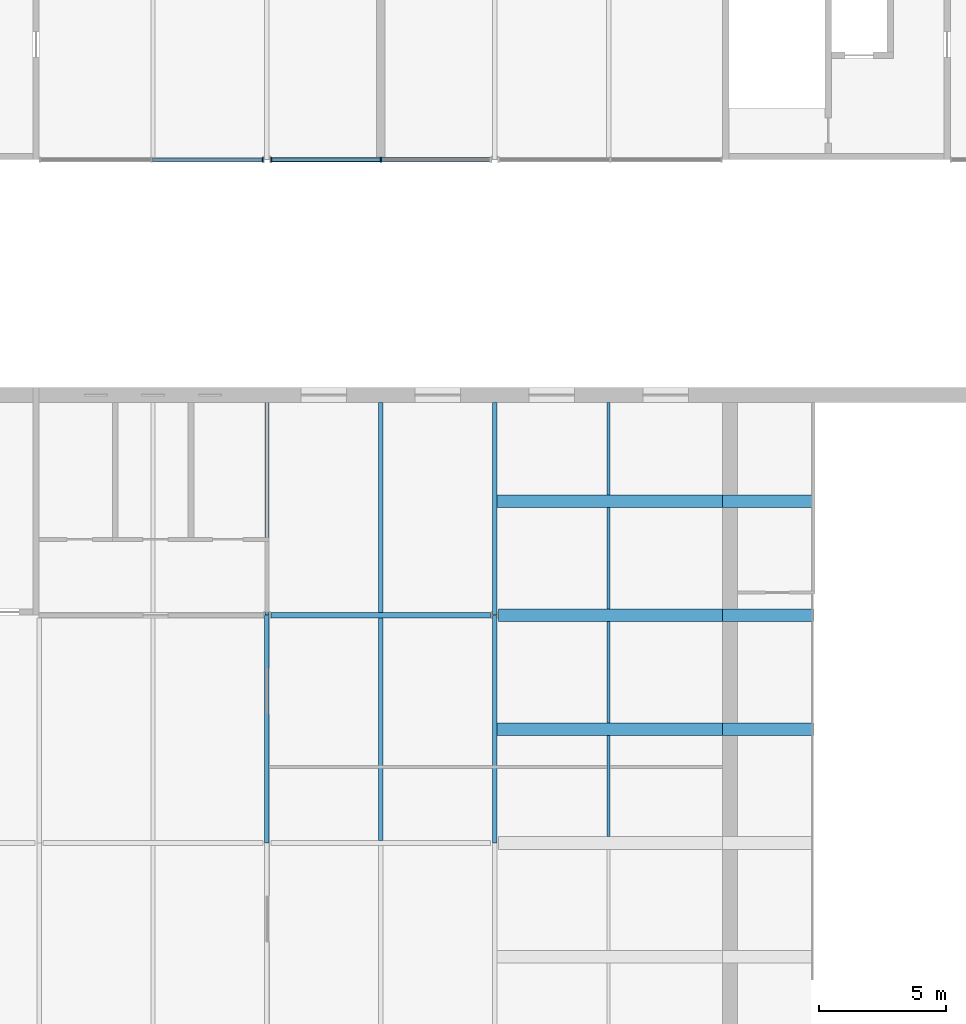
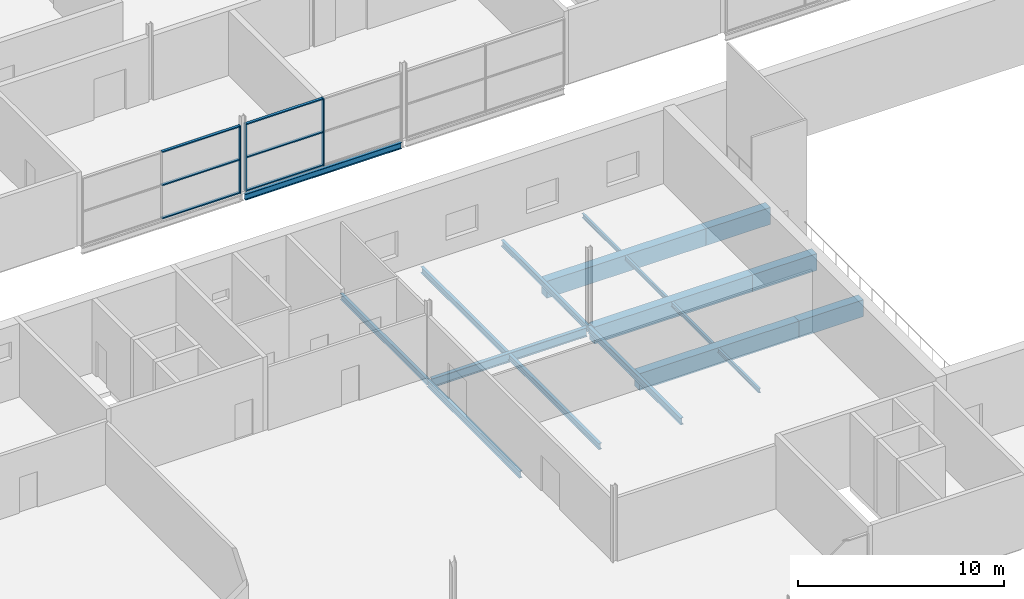
# One storey, part 68 of 138: 18 beams, 9 members, 2 elements without a shape of their own.
"""IFC4 building model written with IfcOpenShell, lengths in metres."""

from ifc_helpers import new_model, si_unit, direction, frame, origin, origin_2d, place, context, subcontext, project, spatial, rectangle, i_section, extrude, material, layer, layer_set, material_profile, profile_set, type_object, element, aggregate, save


model = new_model("IFC4")

# Units and contexts
model_context = context("Model", 3, precision=1e-05, world=origin(), true_north=direction((0.0, 1.0)))
body_context = subcontext(model_context, "Body", "Model", "MODEL_VIEW")
ifc_project = project(units=[si_unit("LENGTHUNIT", "METRE"), si_unit("AREAUNIT", "SQUARE_METRE"), si_unit("VOLUMEUNIT", "CUBIC_METRE"), si_unit("PLANEANGLEUNIT", "RADIAN"), si_unit("MASSUNIT", "GRAM", prefix="KILO")], contexts=[model_context])

# Site, building, storey
site_placement = place(None, origin())
site = spatial("IfcSite", under=ifc_project, at=site_placement, CompositionType="ELEMENT")
building_placement = place(site_placement, origin())
building = spatial("IfcBuilding", under=site, at=building_placement, Name="Corbel Yard City Hall", CompositionType="ELEMENT")
storey_placement = place(building_placement, frame((0.0, 0.0, 10.5)))
storey = spatial("IfcBuildingStorey", under=building, at=storey_placement, Name="L02", CompositionType="ELEMENT", Elevation=10.5)

# Beams
ifc_material_1 = material(Name="Steel Grade 300 (300 MPa yield)", Category="steel")
ifc_material_profile_1 = material_profile(ifc_material_1, i_section(OverallWidth=0.1708984375, OverallDepth=0.35205078125, WebThickness=0.0068359375, FlangeThickness=0.009765625, at=origin_2d()), Name="360UB44.7")
ifc_profile_set_1 = profile_set([ifc_material_profile_1], Name="Steel Grade 300 (300 MPa yield)")
beam_type_1 = type_object("IfcBeamType", Name="Beam 360UB44.7", PredefinedType="BEAM", material=ifc_profile_set_1)
for number, where, z_axis, x_axis, name in (
    (1, (99.0, 72.005859375, -0.325927734375), (0.0, 1.0, 0.0), (-1.0, 0.0, 0.0), "Beam 360UB44.7 SB13 L02floor"),
    (2, (108.0, 72.005859375, -0.325927734375), (0.0, 1.0, 0.0), (-1.0, 0.0, 0.0), "Beam 360UB44.7 SB13 L02floor"),
):
    element("IfcBeam", number, at=place(storey_placement, frame(where, z_axis=z_axis, x_axis=x_axis)), inside=storey, type_object=beam_type_1, Name=name, PredefinedType="BEAM", context=body_context, shape_type="SweptSolid", body=[
        extrude(i_section(OverallWidth=0.1708984375, OverallDepth=0.35205078125, WebThickness=0.0068359375, FlangeThickness=0.009765625, at=origin_2d()), origin(), (0.0, 0.0, 1.0), 8.39404296875),
    ])
ifc_material_profile_2 = material_profile(ifc_material_1, i_section(OverallWidth=0.177978515625, OverallDepth=0.403076171875, WebThickness=0.007568359375, FlangeThickness=0.010986328125, at=origin_2d()), Name="410UB53.7")
ifc_profile_set_2 = profile_set([ifc_material_profile_2], Name="Steel Grade 300 (300 MPa yield)")
beam_type_2 = type_object("IfcBeamType", Name="Beam 410UB53.7", PredefinedType="BEAM", material=ifc_profile_set_2)
for number, where, z_axis, x_axis, name in (
    (3, (99.0, 63.005859375, -0.3515625), (0.0, 1.0, 0.0), (-1.0, 0.0, 0.0), "Beam 410UB53.7 SB6 L02floor"),
    (4, (108.0, 63.005859375, -0.3515625), (0.0, 1.0, 0.0), (-1.0, 0.0, 0.0), "Beam 410UB53.7 SB6 L02floor"),
):
    element("IfcBeam", number, at=place(storey_placement, frame(where, z_axis=z_axis, x_axis=x_axis)), inside=storey, type_object=beam_type_2, Name=name, PredefinedType="BEAM", context=body_context, shape_type="SweptSolid", body=[
        extrude(i_section(OverallWidth=0.177978515625, OverallDepth=0.403076171875, WebThickness=0.007568359375, FlangeThickness=0.010986328125, at=origin_2d()), origin(), (0.0, 0.0, 1.0), 8.98828125),
    ])
ifc_material_profile_3 = material_profile(ifc_material_1, i_section(OverallWidth=0.172119140625, OverallDepth=0.35888671875, WebThickness=0.008056640625, FlangeThickness=0.012939453125, at=origin_2d()), Name="360UB56.7")
ifc_profile_set_3 = profile_set([ifc_material_profile_3], Name="Steel Grade 300 (300 MPa yield)")
beam_type_3 = type_object("IfcBeamType", Name="Edge beam 360UB56.7", PredefinedType="BEAM", material=ifc_profile_set_3)
beam_1_placement = place(storey_placement, frame((99.1298828125, 90.0, -0.32958984375), z_axis=(1.0, 0.0, 0.0), x_axis=(0.0, 1.0, 0.0)))
element("IfcBeam", 5, at=beam_1_placement, inside=storey, type_object=beam_type_3, Name="Edge beam 360UB56.7 EB4 L02floor", PredefinedType="BEAM", context=body_context, shape_type="SweptSolid", body=[
    extrude(i_section(OverallWidth=0.172119140625, OverallDepth=0.35888671875, WebThickness=0.008056640625, FlangeThickness=0.012939453125, at=origin_2d()), origin(), (0.0, 0.0, 1.0), 8.740234375),
])
ifc_material_2 = material(Name="Concrete N40 (40 MPa)", Category="concrete")
ifc_material_profile_4 = material_profile(ifc_material_2, rectangle(XDim=0.5, YDim=1.0, at=origin_2d()), Name="500x1000")
ifc_profile_set_4 = profile_set([ifc_material_profile_4], Name="Concrete N40 (40 MPa)")
beam_type_4 = type_object("IfcBeamType", Name="Gallery back-span beam RC 500X1000", PredefinedType="BEAM", material=ifc_profile_set_4)
beam_2_placement = place(storey_placement, frame((108.08544921875, 67.5, -0.64990234375), z_axis=(1.0, 0.0, 0.0), x_axis=(0.0, 1.0, 0.0)))
element("IfcBeam", 6, at=beam_2_placement, inside=storey, type_object=beam_type_4, Name="Gallery back-span beam RC 500X1000 TB1 L02floor", PredefinedType="BEAM", context=body_context, shape_type="SweptSolid", body=[
    extrude(rectangle(XDim=0.5, YDim=1.0, at=origin_2d()), origin(), (0.0, 0.0, 1.0), 8.91455078125),
])
beam_3_placement = place(storey_placement, frame((108.157470703125, 72.0, -0.64990234375), z_axis=(1.0, 0.0, 0.0), x_axis=(0.0, 1.0, 0.0)))
element("IfcBeam", 7, at=beam_3_placement, inside=storey, type_object=beam_type_4, Name="Gallery back-span beam RC 500X1000 TB1 L02floor", PredefinedType="BEAM", context=body_context, shape_type="SweptSolid", body=[
    extrude(rectangle(XDim=0.5, YDim=1.0, at=origin_2d()), origin(), (0.0, 0.0, 1.0), 8.842529296875),
])
beam_4_placement = place(storey_placement, frame((108.08544921875, 76.5, -0.64990234375), z_axis=(1.0, 0.0, 0.0), x_axis=(0.0, 1.0, 0.0)))
element("IfcBeam", 8, at=beam_4_placement, inside=storey, type_object=beam_type_4, Name="Gallery back-span beam RC 500X1000 TB1 L02floor", PredefinedType="BEAM", context=body_context, shape_type="SweptSolid", body=[
    extrude(rectangle(XDim=0.5, YDim=1.0, at=origin_2d()), origin(), (0.0, 0.0, 1.0), 8.91455078125),
])
ifc_material_profile_5 = material_profile(ifc_material_2, rectangle(XDim=0.5, YDim=1.0, at=origin_2d()), Name="500x1000")
ifc_profile_set_5 = profile_set([ifc_material_profile_5], Name="Concrete N40 (40 MPa)")
beam_type_5 = type_object("IfcBeamType", Name="Gallery cantilever beam RC 500X1000", PredefinedType="BEAM", material=ifc_profile_set_5)
for number, where, z_axis, x_axis, name in (
    (9, (117.0, 67.5, -0.64990234375), (1.0, 0.0, 0.0), (0.0, 1.0, 0.0), "Gallery cantilever beam RC 500X1000 TB2 L02floor"),
    (10, (117.0, 72.0, -0.64990234375), (1.0, 0.0, 0.0), (0.0, 1.0, 0.0), "Gallery cantilever beam RC 500X1000 TB2 L02floor"),
    (11, (117.0, 76.5, -0.64990234375), (1.0, 0.0, 0.0), (0.0, 1.0, 0.0), "Gallery cantilever beam RC 500X1000 TB2 L02floor"),
):
    element("IfcBeam", number, at=place(storey_placement, frame(where, z_axis=z_axis, x_axis=x_axis)), inside=storey, type_object=beam_type_5, Name=name, PredefinedType="BEAM", context=body_context, shape_type="SweptSolid", body=[
        extrude(rectangle(XDim=0.5, YDim=1.0, at=origin_2d()), origin(), (0.0, 0.0, 1.0), 3.60009765625),
    ])
ifc_material_profile_6 = material_profile(ifc_material_1, i_section(OverallWidth=0.208984375, OverallDepth=0.528076171875, WebThickness=0.009521484375, FlangeThickness=0.01318359375, at=origin_2d()), Name="530UB82.0")
ifc_profile_set_6 = profile_set([ifc_material_profile_6], Name="Steel Grade 300 (300 MPa yield)")
beam_type_6 = type_object("IfcBeamType", Name="Girder 530UB82.0", PredefinedType="BEAM", material=ifc_profile_set_6)
beam_5_placement = place(storey_placement, frame((99.157470703125, 72.0, -0.4140625), z_axis=(1.0, 0.0, 0.0), x_axis=(0.0, 1.0, 0.0)))
element("IfcBeam", 12, at=beam_5_placement, inside=storey, type_object=beam_type_6, Name="Girder 530UB82.0 GB3 L02floor", PredefinedType="BEAM", context=body_context, shape_type="SweptSolid", body=[
    extrude(i_section(OverallWidth=0.208984375, OverallDepth=0.528076171875, WebThickness=0.009521484375, FlangeThickness=0.01318359375, at=origin_2d()), origin(), (0.0, 0.0, 1.0), 8.68505859375),
])

# Curtain wall, member
ifc_material_3 = material(Name="Aluminium extrusion", Category="aluminium")
ifc_layer = layer(ifc_material_3, 0.199951171875)
ifc_layer_set = layer_set([ifc_layer], Name="Aluminium extrusion")
curtain_wall_type = type_object("IfcCurtainWallType", Name="CW1", PredefinedType="USERDEFINED", material=ifc_layer_set)
curtain_wall_1_placement = place(storey_placement, origin())
curtain_wall_1 = element("IfcCurtainWall", 13, at=curtain_wall_1_placement, inside=storey, type_object=curtain_wall_type, Name="Curtain wall CW1 L02", ObjectType="CURTAIN WALL", PredefinedType="USERDEFINED")
ifc_material_profile_7 = material_profile(ifc_material_3, rectangle(XDim=0.199951171875, YDim=0.06494140625, at=origin_2d()), Name="200x65")
ifc_profile_set_7 = profile_set([ifc_material_profile_7], Name="Aluminium extrusion")
member_type_1 = type_object("IfcMemberType", Name="ML1", PredefinedType="MULLION", material=ifc_profile_set_7)
member_1_placement = place(storey_placement, frame((98.840576171875, 90.0, 0.0), z_axis=(0.0, 0.0, 1.0), x_axis=(0.0, 1.0, 0.0)))
member_1 = element("IfcMember", 14, at=member_1_placement, type_object=member_type_1, Name="CW1 mullion 3", PredefinedType="MULLION", context=body_context, shape_type="SweptSolid", body=[
    extrude(rectangle(XDim=0.199951171875, YDim=0.06494140625, at=origin_2d()), origin(), (0.0, 0.0, 1.0), 3.990966796875),
])

# Curtain wall, members
curtain_wall_2_placement = place(storey_placement, origin())
curtain_wall_2 = element("IfcCurtainWall", 15, at=curtain_wall_2_placement, inside=storey, type_object=curtain_wall_type, Name="Curtain wall CW1 L02", ObjectType="CURTAIN WALL", PredefinedType="USERDEFINED")
member_2_placement = place(storey_placement, frame((99.159423828125, 90.0, 0.0), z_axis=(0.0, 0.0, 1.0), x_axis=(0.0, 1.0, 0.0)))
member_2 = element("IfcMember", 16, at=member_2_placement, type_object=member_type_1, Name="CW1 mullion 1", PredefinedType="MULLION", context=body_context, shape_type="SweptSolid", body=[
    extrude(rectangle(XDim=0.199951171875, YDim=0.06494140625, at=origin_2d()), origin(), (0.0, 0.0, 1.0), 3.990966796875),
])
member_3_placement = place(storey_placement, frame((103.5, 90.0, 0.0), z_axis=(0.0, 0.0, 1.0), x_axis=(0.0, 1.0, 0.0)))
member_3 = element("IfcMember", 17, at=member_3_placement, type_object=member_type_1, Name="CW1 mullion 2", PredefinedType="MULLION", context=body_context, shape_type="SweptSolid", body=[
    extrude(rectangle(XDim=0.199951171875, YDim=0.06494140625, at=origin_2d()), origin(), (0.0, 0.0, 1.0), 3.990966796875),
])

# Beams
ifc_material_profile_8 = material_profile(ifc_material_1, i_section(OverallWidth=0.1708984375, OverallDepth=0.35205078125, WebThickness=0.0068359375, FlangeThickness=0.009765625, at=origin_2d()), Name="360UB44.7")
ifc_profile_set_8 = profile_set([ifc_material_profile_8], Name="Steel Grade 300 (300 MPa yield)")
beam_type_7 = type_object("IfcBeamType", Name="Secondary beam 360UB44.7", PredefinedType="JOIST", material=ifc_profile_set_8)
beam_6_placement = place(storey_placement, frame((103.5, 63.1044921875, -0.325927734375), z_axis=(0.0, 1.0, 0.0), x_axis=(-1.0, 0.0, 0.0)))
element("IfcBeam", 18, at=beam_6_placement, inside=storey, type_object=beam_type_7, Name="Secondary beam 360UB44.7 SB11 L02floor", PredefinedType="JOIST", context=body_context, shape_type="SweptSolid", body=[
    extrude(i_section(OverallWidth=0.1708984375, OverallDepth=0.35205078125, WebThickness=0.0068359375, FlangeThickness=0.009765625, at=origin_2d()), origin(), (0.0, 0.0, 1.0), 8.791015625),
])
beam_7_placement = place(storey_placement, frame((103.5, 72.1044921875, -0.325927734375), z_axis=(0.0, 1.0, 0.0), x_axis=(-1.0, 0.0, 0.0)))
element("IfcBeam", 19, at=beam_7_placement, inside=storey, type_object=beam_type_7, Name="Secondary beam 360UB44.7 SB11 L02floor", PredefinedType="JOIST", context=body_context, shape_type="SweptSolid", body=[
    extrude(i_section(OverallWidth=0.1708984375, OverallDepth=0.35205078125, WebThickness=0.0068359375, FlangeThickness=0.009765625, at=origin_2d()), origin(), (0.0, 0.0, 1.0), 8.29541015625),
])
ifc_material_profile_9 = material_profile(ifc_material_1, i_section(OverallWidth=0.1240234375, OverallDepth=0.248046875, WebThickness=0.0048828125, FlangeThickness=0.008056640625, at=origin_2d()), Name="250UB25.7")
ifc_profile_set_9 = profile_set([ifc_material_profile_9], Name="Steel Grade 300 (300 MPa yield)")
beam_type_8 = type_object("IfcBeamType", Name="Short secondary beam 250UB25.7", PredefinedType="JOIST", material=ifc_profile_set_9)
for number, where, z_axis, x_axis, name in (
    (20, (112.5, 63.25, -0.27392578125), (0.0, 1.0, 0.0), (-1.0, 0.0, 0.0), "Short secondary beam 250UB25.7 SB9 L02floor"),
    (21, (112.5, 67.75, -0.27392578125), (0.0, 1.0, 0.0), (-1.0, 0.0, 0.0), "Short secondary beam 250UB25.7 SB9 L02floor"),
    (22, (112.5, 72.25, -0.27392578125), (0.0, 1.0, 0.0), (-1.0, 0.0, 0.0), "Short secondary beam 250UB25.7 SB9 L02floor"),
):
    element("IfcBeam", number, at=place(storey_placement, frame(where, z_axis=z_axis, x_axis=x_axis)), inside=storey, type_object=beam_type_8, Name=name, PredefinedType="JOIST", context=body_context, shape_type="SweptSolid", body=[
        extrude(i_section(OverallWidth=0.1240234375, OverallDepth=0.248046875, WebThickness=0.0048828125, FlangeThickness=0.008056640625, at=origin_2d()), origin(), (0.0, 0.0, 1.0), 4.0),
    ])
beam_8_placement = place(storey_placement, frame((112.5, 76.75, -0.27392578125), z_axis=(0.0, 1.0, 0.0), x_axis=(-1.0, 0.0, 0.0)))
element("IfcBeam", 23, at=beam_8_placement, inside=storey, type_object=beam_type_8, Name="Short secondary beam 250UB25.7 SB9 L02floor", PredefinedType="JOIST", context=body_context, shape_type="SweptSolid", body=[
    extrude(i_section(OverallWidth=0.1240234375, OverallDepth=0.248046875, WebThickness=0.0048828125, FlangeThickness=0.008056640625, at=origin_2d()), origin(), (0.0, 0.0, 1.0), 3.64990234375),
])

# Member
ifc_material_profile_10 = material_profile(ifc_material_3, rectangle(XDim=0.14990234375, YDim=0.06494140625, at=origin_2d()), Name="150x65")
ifc_profile_set_10 = profile_set([ifc_material_profile_10], Name="Aluminium extrusion")
member_type_2 = type_object("IfcMemberType", Name="TR1", PredefinedType="USERDEFINED", material=ifc_profile_set_10)
member_4_placement = place(storey_placement, frame((94.468994140625, 90.0, 0.032470703125), z_axis=(1.0, 0.0, 0.0), x_axis=(0.0, 1.0, 0.0)))
member_4 = element("IfcMember", 24, at=member_4_placement, type_object=member_type_2, Name="CW1 transom 2.1", ObjectType="TRANSOM", PredefinedType="USERDEFINED", context=body_context, shape_type="SweptSolid", body=[
    extrude(rectangle(XDim=0.14990234375, YDim=0.06494140625, at=origin_2d()), origin(), (0.0, 0.0, 1.0), 4.339111328125),
])

member_5_placement = place(storey_placement, frame((94.468994140625, 90.0, 1.99560546875), z_axis=(1.0, 0.0, 0.0), x_axis=(0.0, 1.0, 0.0)))
member_5 = element("IfcMember", 25, at=member_5_placement, type_object=member_type_2, Name="CW1 transom 2.2", ObjectType="TRANSOM", PredefinedType="USERDEFINED", context=body_context, shape_type="SweptSolid", body=[
    extrude(rectangle(XDim=0.14990234375, YDim=0.06494140625, at=origin_2d()), origin(), (0.0, 0.0, 1.0), 4.339111328125),
])

member_6_placement = place(storey_placement, frame((94.468994140625, 90.0, 3.95849609375), z_axis=(1.0, 0.0, 0.0), x_axis=(0.0, 1.0, 0.0)))
member_6 = element("IfcMember", 26, at=member_6_placement, type_object=member_type_2, Name="CW1 transom 2.3", ObjectType="TRANSOM", PredefinedType="USERDEFINED", context=body_context, shape_type="SweptSolid", body=[
    extrude(rectangle(XDim=0.14990234375, YDim=0.06494140625, at=origin_2d()), origin(), (0.0, 0.0, 1.0), 4.339111328125),
])

aggregate(curtain_wall_1, [member_1, member_4, member_5, member_6])

member_7_placement = place(storey_placement, frame((99.19189453125, 90.0, 0.032470703125), z_axis=(1.0, 0.0, 0.0), x_axis=(0.0, 1.0, 0.0)))
member_7 = element("IfcMember", 27, at=member_7_placement, type_object=member_type_2, Name="CW1 transom 1.1", ObjectType="TRANSOM", PredefinedType="USERDEFINED", context=body_context, shape_type="SweptSolid", body=[
    extrude(rectangle(XDim=0.14990234375, YDim=0.06494140625, at=origin_2d()), origin(), (0.0, 0.0, 1.0), 4.275634765625),
])

member_8_placement = place(storey_placement, frame((99.19189453125, 90.0, 1.99560546875), z_axis=(1.0, 0.0, 0.0), x_axis=(0.0, 1.0, 0.0)))
member_8 = element("IfcMember", 28, at=member_8_placement, type_object=member_type_2, Name="CW1 transom 1.2", ObjectType="TRANSOM", PredefinedType="USERDEFINED", context=body_context, shape_type="SweptSolid", body=[
    extrude(rectangle(XDim=0.14990234375, YDim=0.06494140625, at=origin_2d()), origin(), (0.0, 0.0, 1.0), 4.275634765625),
])

member_9_placement = place(storey_placement, frame((99.19189453125, 90.0, 3.95849609375), z_axis=(1.0, 0.0, 0.0), x_axis=(0.0, 1.0, 0.0)))
member_9 = element("IfcMember", 29, at=member_9_placement, type_object=member_type_2, Name="CW1 transom 1.3", ObjectType="TRANSOM", PredefinedType="USERDEFINED", context=body_context, shape_type="SweptSolid", body=[
    extrude(rectangle(XDim=0.14990234375, YDim=0.06494140625, at=origin_2d()), origin(), (0.0, 0.0, 1.0), 4.275634765625),
])

aggregate(curtain_wall_2, [member_2, member_3, member_7, member_8, member_9])

save(model, "model.ifc")
